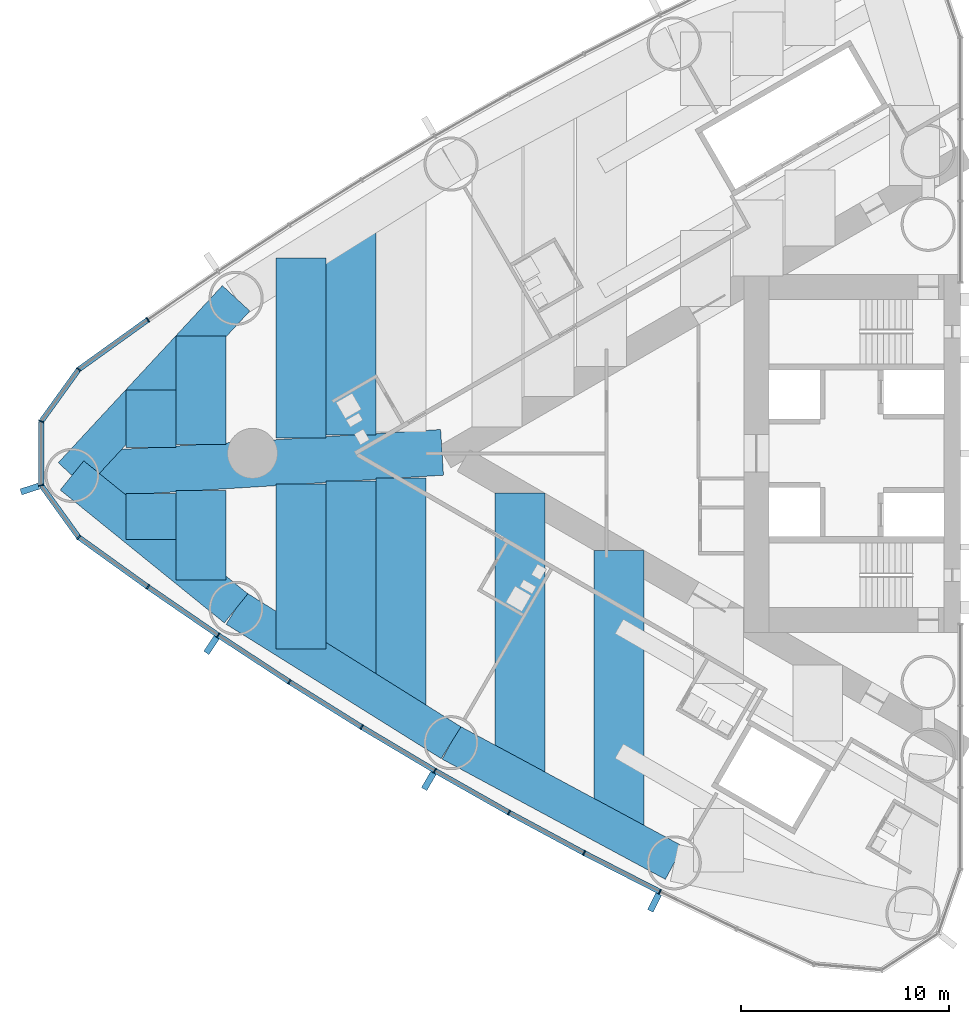
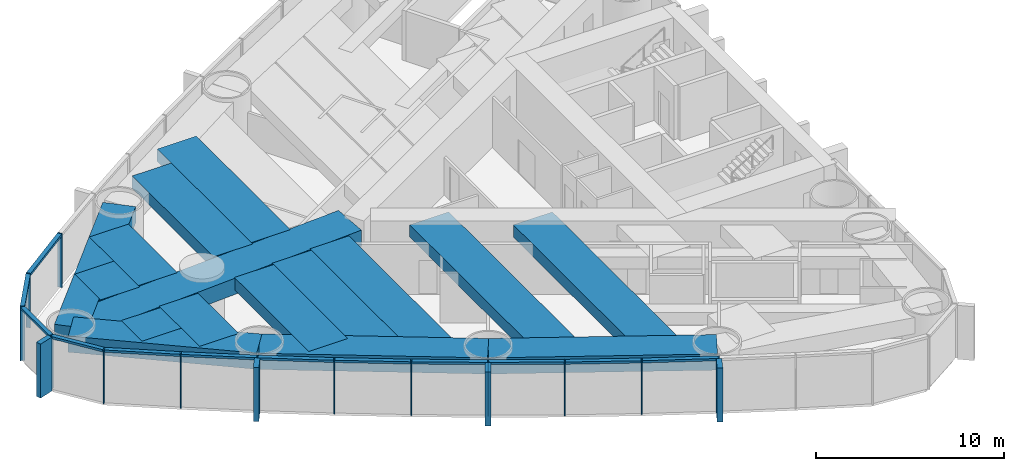
# One storey, part 2 of 18: 29 members, 16 beams, 1 element without a shape of its own.
"""IFC4 building model written with IfcOpenShell, lengths in metres."""

from ifc_helpers import new_model, si_unit, direction, frame, origin, origin_2d, place, context, subcontext, project, spatial, rectangle, extrude, material, material_profile, profile_set, type_object, element, aggregate, save


model = new_model("IFC4")

# Units and contexts
model_context = context("Model", 3, precision=1e-05, world=origin(), true_north=direction((0.0, 1.0)))
body_context = subcontext(model_context, "Body", "Model", "MODEL_VIEW")
ifc_project = project(units=[si_unit("LENGTHUNIT", "METRE"), si_unit("AREAUNIT", "SQUARE_METRE"), si_unit("VOLUMEUNIT", "CUBIC_METRE"), si_unit("PLANEANGLEUNIT", "RADIAN"), si_unit("MASSUNIT", "GRAM", prefix="KILO")], contexts=[model_context])

# Site, building, storey
site_placement = place(None, origin())
site = spatial("IfcSite", under=ifc_project, at=site_placement, CompositionType="ELEMENT")
building_placement = place(site_placement, origin())
building = spatial("IfcBuilding", under=site, at=building_placement, Name="Lancet Gate Hotel", CompositionType="ELEMENT")
storey_placement = place(building_placement, frame((0.0, 0.0, 97.60009765625)))
storey = spatial("IfcBuildingStorey", under=building, at=storey_placement, Name="L25", CompositionType="ELEMENT", Elevation=97.60009765625)

# Curtain wall, members
ifc_material_1 = material(Name="Aluminium curtain wall", Category="aluminium")
curtain_wall_type = type_object("IfcCurtainWallType", Name="Tower unitised curtain wall", PredefinedType="USERDEFINED", material=ifc_material_1)
curtain_wall_placement = place(storey_placement, origin())
curtain_wall = element("IfcCurtainWall", 1, at=curtain_wall_placement, inside=storey, type_object=curtain_wall_type, Name="T1 L25 curtain wall 1", ObjectType="UNITISED CURTAIN WALL", PredefinedType="USERDEFINED")
ifc_material_2 = material(Name="Aluminium mullion", Category="aluminium")
ifc_material_profile_1 = material_profile(ifc_material_2, rectangle(XDim=0.06494140625, YDim=0.25, at=origin_2d()), Name="MULLION 65x250")
ifc_profile_set_1 = profile_set([ifc_material_profile_1], Name="Aluminium mullion")
member_type_1 = type_object("IfcMemberType", Name="Aluminium mullion 65x250", PredefinedType="MULLION", material=ifc_profile_set_1)
member_1_placement = place(storey_placement, frame((-66.5234375, 6.41650390625, 0.0), z_axis=(0.0, 0.0, 1.0), x_axis=(-0.818327221681, -0.574752606132, 0.0)))
member_1 = element("IfcMember", 2, at=member_1_placement, type_object=member_type_1, Name="T1 L25 curtain wall 1 mullion 16", PredefinedType="MULLION", context=body_context, shape_type="SweptSolid", body=[
    extrude(rectangle(XDim=0.06494140625, YDim=0.25, at=origin_2d()), origin(), (0.0, 0.0, 1.0), 3.5),
])
member_2_placement = place(storey_placement, frame((-69.84619140625, 4.02880859375, 0.0), z_axis=(0.0, 0.0, 1.0), x_axis=(-0.723846229576, -0.6899613293, 0.0)))
member_2 = element("IfcMember", 3, at=member_2_placement, type_object=member_type_1, Name="T1 L25 curtain wall 1 mullion 17", PredefinedType="MULLION", context=body_context, shape_type="SweptSolid", body=[
    extrude(rectangle(XDim=0.06494140625, YDim=0.25, at=origin_2d()), origin(), (0.0, 0.0, 1.0), 3.5),
])
member_3_placement = place(storey_placement, frame((-71.64306640625, 1.536376953125, 0.0), z_axis=(0.0, 0.0, 1.0), x_axis=(-0.307269196735, -0.95162263568, 0.0)))
member_3 = element("IfcMember", 4, at=member_3_placement, type_object=member_type_1, Name="T1 L25 curtain wall 1 mullion 18", PredefinedType="MULLION", context=body_context, shape_type="SweptSolid", body=[
    extrude(rectangle(XDim=0.06494140625, YDim=0.25, at=origin_2d()), origin(), (0.0, 0.0, 1.0), 3.5),
])
member_4_placement = place(storey_placement, frame((-71.64306640625, -1.536376953125, 0.0), z_axis=(0.0, 0.0, 1.0), x_axis=(0.307269196735, -0.95162263568, 0.0)))
member_4 = element("IfcMember", 5, at=member_4_placement, type_object=member_type_1, Name="T1 L25 curtain wall 1 mullion 19", PredefinedType="MULLION", context=body_context, shape_type="SweptSolid", body=[
    extrude(rectangle(XDim=0.06494140625, YDim=0.25, at=origin_2d()), origin(), (0.0, 0.0, 1.0), 3.5),
])
member_5_placement = place(storey_placement, frame((-69.84619140625, -4.02880859375, 0.0), z_axis=(0.0, 0.0, 1.0), x_axis=(0.723846229576, -0.6899613293, 0.0)))
member_5 = element("IfcMember", 6, at=member_5_placement, type_object=member_type_1, Name="T1 L25 curtain wall 1 mullion 20", PredefinedType="MULLION", context=body_context, shape_type="SweptSolid", body=[
    extrude(rectangle(XDim=0.06494140625, YDim=0.25, at=origin_2d()), origin(), (0.0, 0.0, 1.0), 3.5),
])
member_6_placement = place(storey_placement, frame((-66.5234375, -6.41650390625, 0.0), z_axis=(0.0, 0.0, 1.0), x_axis=(0.818327221681, -0.574752606132, 0.0)))
member_6 = element("IfcMember", 7, at=member_6_placement, type_object=member_type_1, Name="T1 L25 curtain wall 1 mullion 21", PredefinedType="MULLION", context=body_context, shape_type="SweptSolid", body=[
    extrude(rectangle(XDim=0.06494140625, YDim=0.25, at=origin_2d()), origin(), (0.0, 0.0, 1.0), 3.5),
])
member_7_placement = place(storey_placement, frame((-63.14990234375, -8.73193359375, 0.0), z_axis=(0.0, 0.0, 1.0), x_axis=(0.830510096234, -0.557003572747, 0.0)))
member_7 = element("IfcMember", 8, at=member_7_placement, type_object=member_type_1, Name="T1 L25 curtain wall 1 mullion 22", PredefinedType="MULLION", context=body_context, shape_type="SweptSolid", body=[
    extrude(rectangle(XDim=0.06494140625, YDim=0.25, at=origin_2d()), origin(), (0.0, 0.0, 1.0), 3.5),
])
member_8_placement = place(storey_placement, frame((-59.7275390625, -10.974365234375, 0.0), z_axis=(0.0, 0.0, 1.0), x_axis=(0.84230807036, -0.538996395727, 0.0)))
member_8 = element("IfcMember", 9, at=member_8_placement, type_object=member_type_1, Name="T1 L25 curtain wall 1 mullion 23", PredefinedType="MULLION", context=body_context, shape_type="SweptSolid", body=[
    extrude(rectangle(XDim=0.06494140625, YDim=0.25, at=origin_2d()), origin(), (0.0, 0.0, 1.0), 3.5),
])
member_9_placement = place(storey_placement, frame((-56.257568359375, -13.142333984375, 0.0), z_axis=(0.0, 0.0, 1.0), x_axis=(0.853715676299, -0.52073942048, 0.0)))
member_9 = element("IfcMember", 10, at=member_9_placement, type_object=member_type_1, Name="T1 L25 curtain wall 1 mullion 24", PredefinedType="MULLION", context=body_context, shape_type="SweptSolid", body=[
    extrude(rectangle(XDim=0.06494140625, YDim=0.25, at=origin_2d()), origin(), (0.0, 0.0, 1.0), 3.5),
])
member_10_placement = place(storey_placement, frame((-52.74169921875, -15.2353515625, 0.0), z_axis=(0.0, 0.0, 1.0), x_axis=(0.86472762718, -0.502241108226, 0.0)))
member_10 = element("IfcMember", 11, at=member_10_placement, type_object=member_type_1, Name="T1 L25 curtain wall 1 mullion 25", PredefinedType="MULLION", context=body_context, shape_type="SweptSolid", body=[
    extrude(rectangle(XDim=0.06494140625, YDim=0.25, at=origin_2d()), origin(), (0.0, 0.0, 1.0), 3.5),
])
member_11_placement = place(storey_placement, frame((-49.181640625, -17.252197265625, 0.0), z_axis=(0.0, 0.0, 1.0), x_axis=(0.875338819507, -0.48351003202, 0.0)))
member_11 = element("IfcMember", 12, at=member_11_placement, type_object=member_type_1, Name="T1 L25 curtain wall 1 mullion 26", PredefinedType="MULLION", context=body_context, shape_type="SweptSolid", body=[
    extrude(rectangle(XDim=0.06494140625, YDim=0.25, at=origin_2d()), origin(), (0.0, 0.0, 1.0), 3.5),
])
member_12_placement = place(storey_placement, frame((-45.578857421875, -19.19189453125, 0.0), z_axis=(0.0, 0.0, 1.0), x_axis=(0.885544335517, -0.46455487279, 0.0)))
member_12 = element("IfcMember", 13, at=member_12_placement, type_object=member_type_1, Name="T1 L25 curtain wall 1 mullion 27", PredefinedType="MULLION", context=body_context, shape_type="SweptSolid", body=[
    extrude(rectangle(XDim=0.06494140625, YDim=0.25, at=origin_2d()), origin(), (0.0, 0.0, 1.0), 3.5),
])
member_13_placement = place(storey_placement, frame((-41.935302734375, -21.053466796875, 0.0), z_axis=(0.0, 0.0, 1.0), x_axis=(0.895339445458, -0.445384415317, 0.0)))
member_13 = element("IfcMember", 14, at=member_13_placement, type_object=member_type_1, Name="T1 L25 curtain wall 1 mullion 28", PredefinedType="MULLION", context=body_context, shape_type="SweptSolid", body=[
    extrude(rectangle(XDim=0.06494140625, YDim=0.25, at=origin_2d()), origin(), (0.0, 0.0, 1.0), 3.5),
])
ifc_material_3 = material(Name="Aluminium transom", Category="aluminium")
ifc_material_profile_2 = material_profile(ifc_material_3, rectangle(XDim=0.25, YDim=0.14990234375, at=origin_2d()), Name="TRANSOM 250x150")
ifc_profile_set_2 = profile_set([ifc_material_profile_2], Name="Aluminium transom")
member_type_2 = type_object("IfcMemberType", Name="Aluminium transom 250x150", PredefinedType="USERDEFINED", material=ifc_profile_set_2)
member_14_placement = place(storey_placement, frame((-66.5498046875, 6.3974609375, 3.4248046875), z_axis=(-0.812099770796, -0.583518604908, 0.0), x_axis=(0.583518604908, -0.812099770796, 0.0)))
member_14 = element("IfcMember", 15, at=member_14_placement, type_object=member_type_2, Name="T1 L25 curtain wall 1 transom 16", ObjectType="TRANSOM", PredefinedType="USERDEFINED", context=body_context, shape_type="SweptSolid", body=[
    extrude(rectangle(XDim=0.25, YDim=0.14990234375, at=origin_2d()), origin(), (0.0, 0.0, 1.0), 4.026611328125),
])
member_15_placement = place(storey_placement, frame((-69.865234375, 4.00244140625, 3.4248046875), z_axis=(-0.584787911241, -0.81118622946, 0.0), x_axis=(0.81118622946, -0.584787911241, 0.0)))
member_15 = element("IfcMember", 16, at=member_15_placement, type_object=member_type_2, Name="T1 L25 curtain wall 1 transom 17", ObjectType="TRANSOM", PredefinedType="USERDEFINED", context=body_context, shape_type="SweptSolid", body=[
    extrude(rectangle(XDim=0.25, YDim=0.14990234375, at=origin_2d()), origin(), (0.0, 0.0, 1.0), 3.007568359375),
])
member_16_placement = place(storey_placement, frame((-71.64306640625, 1.50390625, 3.4248046875), z_axis=(0.0, -1.0, 0.0), x_axis=(1.0, 0.0, 0.0)))
member_16 = element("IfcMember", 17, at=member_16_placement, type_object=member_type_2, Name="T1 L25 curtain wall 1 transom 18", ObjectType="TRANSOM", PredefinedType="USERDEFINED", context=body_context, shape_type="SweptSolid", body=[
    extrude(rectangle(XDim=0.25, YDim=0.14990234375, at=origin_2d()), origin(), (0.0, 0.0, 1.0), 3.0078125),
])
member_17_placement = place(storey_placement, frame((-71.6240234375, -1.562744140625, 3.4248046875), z_axis=(0.584787911241, -0.81118622946, 0.0), x_axis=(0.81118622946, 0.584787911241, 0.0)))
member_17 = element("IfcMember", 18, at=member_17_placement, type_object=member_type_2, Name="T1 L25 curtain wall 1 transom 19", ObjectType="TRANSOM", PredefinedType="USERDEFINED", context=body_context, shape_type="SweptSolid", body=[
    extrude(rectangle(XDim=0.25, YDim=0.14990234375, at=origin_2d()), origin(), (0.0, 0.0, 1.0), 3.007568359375),
])
member_18_placement = place(storey_placement, frame((-69.81982421875, -4.0478515625, 3.4248046875), z_axis=(0.812099770796, -0.583518604908, 0.0), x_axis=(0.583518604908, 0.812099770796, 0.0)))
member_18 = element("IfcMember", 19, at=member_18_placement, type_object=member_type_2, Name="T1 L25 curtain wall 1 transom 20", ObjectType="TRANSOM", PredefinedType="USERDEFINED", context=body_context, shape_type="SweptSolid", body=[
    extrude(rectangle(XDim=0.25, YDim=0.14990234375, at=origin_2d()), origin(), (0.0, 0.0, 1.0), 4.026611328125),
])
member_19_placement = place(storey_placement, frame((-66.49658203125, -6.434814453125, 3.4248046875), z_axis=(0.824455665247, -0.565926546508, 0.0), x_axis=(0.565926546508, 0.824455665247, 0.0)))
member_19 = element("IfcMember", 20, at=member_19_placement, type_object=member_type_2, Name="T1 L25 curtain wall 1 transom 21", ObjectType="TRANSOM", PredefinedType="USERDEFINED", context=body_context, shape_type="SweptSolid", body=[
    extrude(rectangle(XDim=0.25, YDim=0.14990234375, at=origin_2d()), origin(), (0.0, 0.0, 1.0), 4.026611328125),
])
member_20_placement = place(storey_placement, frame((-63.122802734375, -8.749755859375, 3.4248046875), z_axis=(0.83645442085, -0.548036496815, 0.0), x_axis=(0.548036496815, 0.83645442085, 0.0)))
member_20 = element("IfcMember", 21, at=member_20_placement, type_object=member_type_2, Name="T1 L25 curtain wall 1 transom 22", ObjectType="TRANSOM", PredefinedType="USERDEFINED", context=body_context, shape_type="SweptSolid", body=[
    extrude(rectangle(XDim=0.25, YDim=0.14990234375, at=origin_2d()), origin(), (0.0, 0.0, 1.0), 4.026611328125),
])
member_21_placement = place(storey_placement, frame((-59.699951171875, -10.991455078125, 3.4248046875), z_axis=(0.848049393821, -0.529917187531, 0.0), x_axis=(0.529917187531, 0.848049393821, 0.0)))
member_21 = element("IfcMember", 22, at=member_21_placement, type_object=member_type_2, Name="T1 L25 curtain wall 1 transom 23", ObjectType="TRANSOM", PredefinedType="USERDEFINED", context=body_context, shape_type="SweptSolid", body=[
    extrude(rectangle(XDim=0.25, YDim=0.14990234375, at=origin_2d()), origin(), (0.0, 0.0, 1.0), 4.026611328125),
])
member_22_placement = place(storey_placement, frame((-56.2294921875, -13.1591796875, 3.4248046875), z_axis=(0.859285270342, -0.511496651186, 0.0), x_axis=(0.511496651186, 0.859285270342, 0.0)))
member_22 = element("IfcMember", 23, at=member_22_placement, type_object=member_type_2, Name="T1 L25 curtain wall 1 transom 24", ObjectType="TRANSOM", PredefinedType="USERDEFINED", context=body_context, shape_type="SweptSolid", body=[
    extrude(rectangle(XDim=0.25, YDim=0.14990234375, at=origin_2d()), origin(), (0.0, 0.0, 1.0), 4.026611328125),
])
member_23_placement = place(storey_placement, frame((-52.71337890625, -15.25146484375, 3.4248046875), z_axis=(0.870091531013, -0.492890178091, 0.0), x_axis=(0.492890178091, 0.870091531013, 0.0)))
member_23 = element("IfcMember", 24, at=member_23_placement, type_object=member_type_2, Name="T1 L25 curtain wall 1 transom 25", ObjectType="TRANSOM", PredefinedType="USERDEFINED", context=body_context, shape_type="SweptSolid", body=[
    extrude(rectangle(XDim=0.25, YDim=0.14990234375, at=origin_2d()), origin(), (0.0, 0.0, 1.0), 4.026611328125),
])
member_24_placement = place(storey_placement, frame((-49.153076171875, -17.267578125, 3.4248046875), z_axis=(0.880498353192, -0.474049206335, 0.0), x_axis=(0.474049206335, 0.880498353192, 0.0)))
member_24 = element("IfcMember", 25, at=member_24_placement, type_object=member_type_2, Name="T1 L25 curtain wall 1 transom 26", ObjectType="TRANSOM", PredefinedType="USERDEFINED", context=body_context, shape_type="SweptSolid", body=[
    extrude(rectangle(XDim=0.25, YDim=0.14990234375, at=origin_2d()), origin(), (0.0, 0.0, 1.0), 4.02685546875),
])
member_25_placement = place(storey_placement, frame((-45.550048828125, -19.20654296875, 3.4248046875), z_axis=(0.89047617483, -0.455029869415, 0.0), x_axis=(0.455029869415, 0.89047617483, 0.0)))
member_25 = element("IfcMember", 26, at=member_25_placement, type_object=member_type_2, Name="T1 L25 curtain wall 1 transom 27", ObjectType="TRANSOM", PredefinedType="USERDEFINED", context=body_context, shape_type="SweptSolid", body=[
    extrude(rectangle(XDim=0.25, YDim=0.14990234375, at=origin_2d()), origin(), (0.0, 0.0, 1.0), 4.026611328125),
])

# Beams
ifc_material_4 = material(Name="Concrete C50/60", Category="concrete")
ifc_material_profile_3 = material_profile(ifc_material_4, rectangle(XDim=1.800048828125, YDim=1.050048828125, at=origin_2d()), Name="RC 1800x1050")
ifc_profile_set_3 = profile_set([ifc_material_profile_3], Name="Concrete C50/60")
beam_type_1 = type_object("IfcBeamType", Name="Edge beam RC 1800x1050", PredefinedType="SPANDREL", material=ifc_profile_set_3)
beam_1_placement = place(storey_placement, frame((-62.28662109375, 7.444580078125, 2.724853515625), z_axis=(-0.679718253794, -0.733473309303, 0.0), x_axis=(0.733473309303, -0.679718253794, 0.0)))
element("IfcBeam", 27, at=beam_1_placement, inside=storey, type_object=beam_type_1, Name="T1 edge beam EB1 L25", PredefinedType="SPANDREL", context=body_context, shape_type="SweptSolid", body=[
    extrude(rectangle(XDim=1.800048828125, YDim=1.050048828125, at=origin_2d()), origin(), (0.0, 0.0, 1.0), 11.594970703125),
])
beam_2_placement = place(storey_placement, frame((-70.16796875, -1.06005859375, 2.724853515625), z_axis=(0.777033503891, -0.629459239213, 0.0), x_axis=(0.629459239213, 0.777033503891, 0.0)))
element("IfcBeam", 28, at=beam_2_placement, inside=storey, type_object=beam_type_1, Name="T1 edge beam EB1 L25", PredefinedType="SPANDREL", context=body_context, shape_type="SweptSolid", body=[
    extrude(rectangle(XDim=1.800048828125, YDim=1.050048828125, at=origin_2d()), origin(), (0.0, 0.0, 1.0), 10.142822265625),
])
for number, where, z_axis, x_axis, name in (
    (29, (-62.28662109375, -7.444580078125, 2.724853515625), (0.848062521637, -0.529896177939, 0.0), (0.529896177939, 0.848062521637, 0.0), "T1 edge beam EB1 L25"),
    (30, (-51.963134765625, -13.89501953125, 2.724853515625), (0.880492350889, -0.474060354835, 0.0), (0.474060354835, 0.880492350889, 0.0), "T1 edge beam EB1 L25"),
):
    element("IfcBeam", number, at=place(storey_placement, frame(where, z_axis=z_axis, x_axis=x_axis)), inside=storey, type_object=beam_type_1, Name=name, PredefinedType="SPANDREL", context=body_context, shape_type="SweptSolid", body=[
        extrude(rectangle(XDim=1.800048828125, YDim=1.050048828125, at=origin_2d()), origin(), (0.0, 0.0, 1.0), 12.173095703125),
    ])

# Member
ifc_material_5 = material(Name="Precast concrete C50/60", Category="concrete")
ifc_material_profile_4 = material_profile(ifc_material_5, rectangle(XDim=0.300048828125, YDim=0.89990234375, at=origin_2d()), Name="FIN 300x900")
ifc_profile_set_4 = profile_set([ifc_material_profile_4], Name="Precast concrete C50/60")
member_type_3 = type_object("IfcMemberType", Name="Exposed concrete fin 300x900", PredefinedType="USERDEFINED", material=ifc_profile_set_4)
member_26_placement = place(storey_placement, frame((-72.190185546875, -1.713134765625, 0.0), z_axis=(0.0, 0.0, 1.0), x_axis=(0.307269196735, -0.95162263568, 0.0)))
member_26 = element("IfcMember", 31, at=member_26_placement, type_object=member_type_3, Name="T1 L25 curtain wall 1 fin 19", ObjectType="FIN", PredefinedType="USERDEFINED", context=body_context, shape_type="SweptSolid", body=[
    extrude(rectangle(XDim=0.300048828125, YDim=0.89990234375, at=origin_2d()), origin(), (0.0, 0.0, 1.0), 3.5),
])

member_27_placement = place(storey_placement, frame((-63.47021484375, -9.20947265625, 0.0), z_axis=(0.0, 0.0, 1.0), x_axis=(0.830510096234, -0.557003572747, 0.0)))
member_27 = element("IfcMember", 32, at=member_27_placement, type_object=member_type_3, Name="T1 L25 curtain wall 1 fin 22", ObjectType="FIN", PredefinedType="USERDEFINED", context=body_context, shape_type="SweptSolid", body=[
    extrude(rectangle(XDim=0.300048828125, YDim=0.89990234375, at=origin_2d()), origin(), (0.0, 0.0, 1.0), 3.5),
])

member_28_placement = place(storey_placement, frame((-53.030517578125, -15.732666015625, 0.0), z_axis=(0.0, 0.0, 1.0), x_axis=(0.86472762718, -0.502241108226, 0.0)))
member_28 = element("IfcMember", 33, at=member_28_placement, type_object=member_type_3, Name="T1 L25 curtain wall 1 fin 25", ObjectType="FIN", PredefinedType="USERDEFINED", context=body_context, shape_type="SweptSolid", body=[
    extrude(rectangle(XDim=0.300048828125, YDim=0.89990234375, at=origin_2d()), origin(), (0.0, 0.0, 1.0), 3.5),
])

member_29_placement = place(storey_placement, frame((-42.19140625, -21.568359375, 0.0), z_axis=(0.0, 0.0, 1.0), x_axis=(0.895339445458, -0.445384415317, 0.0)))
member_29 = element("IfcMember", 34, at=member_29_placement, type_object=member_type_3, Name="T1 L25 curtain wall 1 fin 28", ObjectType="FIN", PredefinedType="USERDEFINED", context=body_context, shape_type="SweptSolid", body=[
    extrude(rectangle(XDim=0.300048828125, YDim=0.89990234375, at=origin_2d()), origin(), (0.0, 0.0, 1.0), 3.5),
])

aggregate(curtain_wall, [member_1, member_2, member_3, member_4, member_26, member_5, member_6, member_7, member_27, member_8, member_9, member_10, member_28, member_11, member_12, member_13, member_29, member_14, member_15, member_16, member_17, member_18, member_19, member_20, member_21, member_22, member_23, member_24, member_25])

# Beams
ifc_material_6 = material(Name="Concrete C50/60", Category="concrete")
ifc_material_profile_5 = material_profile(ifc_material_6, rectangle(XDim=2.39990234375, YDim=0.800048828125, at=origin_2d()), Name="RC 2400x800")
ifc_profile_set_5 = profile_set([ifc_material_profile_5], Name="Concrete C50/60")
beam_type_2 = type_object("IfcBeamType", Name="Floor beam RC 2400x800", PredefinedType="BEAM", material=ifc_profile_set_5)
beam_3_placement = place(storey_placement, frame((-43.891357421875, -4.663330078125, 2.849853515625), z_axis=(0.0, -1.0, 0.0), x_axis=(1.0, 0.0, 0.0)))
element("IfcBeam", 35, at=beam_3_placement, inside=storey, type_object=beam_type_2, Name="T1 floor beam F08N L25", PredefinedType="BEAM", context=body_context, shape_type="SweptSolid", body=[
    extrude(rectangle(XDim=2.39990234375, YDim=0.800048828125, at=origin_2d()), origin(), (0.0, 0.0, 1.0), 13.57763671875),
])
beam_4_placement = place(storey_placement, frame((-48.66015625, -1.909912109375, 2.849853515625), z_axis=(0.0, -1.0, 0.0), x_axis=(1.0, 0.0, 0.0)))
element("IfcBeam", 36, at=beam_4_placement, inside=storey, type_object=beam_type_2, Name="T1 floor beam F11N L25", PredefinedType="BEAM", context=body_context, shape_type="SweptSolid", body=[
    extrude(rectangle(XDim=2.39990234375, YDim=0.800048828125, at=origin_2d()), origin(), (0.0, 0.0, 1.0), 13.763427734375),
])
beam_5_placement = place(storey_placement, frame((-54.3681640625, -1.177001953125, 2.849853515625), z_axis=(0.0, -1.0, 0.0), x_axis=(1.0, 0.0, 0.0)))
element("IfcBeam", 37, at=beam_5_placement, inside=storey, type_object=beam_type_2, Name="T1 floor beam F14N L25", PredefinedType="BEAM", context=body_context, shape_type="SweptSolid", body=[
    extrude(rectangle(XDim=2.39990234375, YDim=0.800048828125, at=origin_2d()), origin(), (0.0, 0.0, 1.0), 11.21533203125),
])
beam_6_placement = place(storey_placement, frame((-56.768310546875, 10.892578125, 2.849853515625), z_axis=(0.0, -1.0, 0.0), x_axis=(1.0, 0.0, 0.0)))
element("IfcBeam", 38, at=beam_6_placement, inside=storey, type_object=beam_type_2, Name="T1 floor beam F15S L25", PredefinedType="BEAM", context=body_context, shape_type="SweptSolid", body=[
    extrude(rectangle(XDim=2.39990234375, YDim=0.800048828125, at=origin_2d()), origin(), (0.0, 0.0, 1.0), 10.014892578125),
])
beam_7_placement = place(storey_placement, frame((-56.768310546875, -1.32666015625, 2.849853515625), z_axis=(0.0, -1.0, 0.0), x_axis=(1.0, 0.0, 0.0)))
element("IfcBeam", 39, at=beam_7_placement, inside=storey, type_object=beam_type_2, Name="T1 floor beam F16N L25", PredefinedType="BEAM", context=body_context, shape_type="SweptSolid", body=[
    extrude(rectangle(XDim=2.39990234375, YDim=0.800048828125, at=origin_2d()), origin(), (0.0, 0.0, 1.0), 9.56591796875),
])
beam_8_placement = place(storey_placement, frame((-59.168212890625, 9.39306640625, 2.849853515625), z_axis=(0.0, -1.0, 0.0), x_axis=(1.0, 0.0, 0.0)))
element("IfcBeam", 40, at=beam_8_placement, inside=storey, type_object=beam_type_2, Name="T1 floor beam F17S L25", PredefinedType="BEAM", context=body_context, shape_type="SweptSolid", body=[
    extrude(rectangle(XDim=2.39990234375, YDim=0.800048828125, at=origin_2d()), origin(), (0.0, 0.0, 1.0), 8.6650390625),
])
beam_9_placement = place(storey_placement, frame((-59.168212890625, -1.476318359375, 2.849853515625), z_axis=(0.0, -1.0, 0.0), x_axis=(1.0, 0.0, 0.0)))
element("IfcBeam", 41, at=beam_9_placement, inside=storey, type_object=beam_type_2, Name="T1 floor beam F18N L25", PredefinedType="BEAM", context=body_context, shape_type="SweptSolid", body=[
    extrude(rectangle(XDim=2.39990234375, YDim=0.800048828125, at=origin_2d()), origin(), (0.0, 0.0, 1.0), 7.916748046875),
])
beam_10_placement = place(storey_placement, frame((-63.96826171875, 5.6298828125, 2.849853515625), z_axis=(0.0, -1.0, 0.0), x_axis=(1.0, 0.0, 0.0)))
element("IfcBeam", 42, at=beam_10_placement, inside=storey, type_object=beam_type_2, Name="T1 floor beam F19S L25", PredefinedType="BEAM", context=body_context, shape_type="SweptSolid", body=[
    extrude(rectangle(XDim=2.39990234375, YDim=0.800048828125, at=origin_2d()), origin(), (0.0, 0.0, 1.0), 5.201171875),
])
beam_11_placement = place(storey_placement, frame((-63.96826171875, -1.775634765625, 2.849853515625), z_axis=(0.0, -1.0, 0.0), x_axis=(1.0, 0.0, 0.0)))
element("IfcBeam", 43, at=beam_11_placement, inside=storey, type_object=beam_type_2, Name="T1 floor beam F20N L25", PredefinedType="BEAM", context=body_context, shape_type="SweptSolid", body=[
    extrude(rectangle(XDim=2.39990234375, YDim=0.800048828125, at=origin_2d()), origin(), (0.0, 0.0, 1.0), 4.306640625),
])
beam_12_placement = place(storey_placement, frame((-66.3681640625, 3.040283203125, 2.849853515625), z_axis=(0.0, -1.0, 0.0), x_axis=(1.0, 0.0, 0.0)))
element("IfcBeam", 44, at=beam_12_placement, inside=storey, type_object=beam_type_2, Name="T1 floor beam F21S L25", PredefinedType="BEAM", context=body_context, shape_type="SweptSolid", body=[
    extrude(rectangle(XDim=2.39990234375, YDim=0.800048828125, at=origin_2d()), origin(), (0.0, 0.0, 1.0), 2.76123046875),
])
beam_13_placement = place(storey_placement, frame((-66.3681640625, -1.92529296875, 2.849853515625), z_axis=(0.0, -1.0, 0.0), x_axis=(1.0, 0.0, 0.0)))
element("IfcBeam", 45, at=beam_13_placement, inside=storey, type_object=beam_type_2, Name="T1 floor beam F22N L25", PredefinedType="BEAM", context=body_context, shape_type="SweptSolid", body=[
    extrude(rectangle(XDim=2.39990234375, YDim=0.800048828125, at=origin_2d()), origin(), (0.0, 0.0, 1.0), 2.212890625),
])
ifc_material_7 = material(Name="Concrete C50/60", Category="concrete")
ifc_material_profile_6 = material_profile(ifc_material_7, rectangle(XDim=2.199951171875, YDim=1.050048828125, at=origin_2d()), Name="RC 2200x1050")
ifc_profile_set_6 = profile_set([ifc_material_profile_6], Name="Concrete C50/60")
beam_type_3 = type_object("IfcBeamType", Name="Radial floor beam RC 2200x1050", PredefinedType="BEAM", material=ifc_profile_set_6)
beam_14_placement = place(storey_placement, frame((-70.16796875, -1.06005859375, 2.724853515625), z_axis=(0.998061637313, 0.062233175423, 0.0), x_axis=(-0.062233175423, 0.998061637313, 0.0)))
element("IfcBeam", 46, at=beam_14_placement, inside=storey, type_object=beam_type_3, Name="T1 radial beam CA L25", PredefinedType="BEAM", context=body_context, shape_type="SweptSolid", body=[
    extrude(rectangle(XDim=2.199951171875, YDim=1.050048828125, at=origin_2d()), origin(), (0.0, 0.0, 1.0), 17.806396484375),
])

save(model, "model.ifc")
